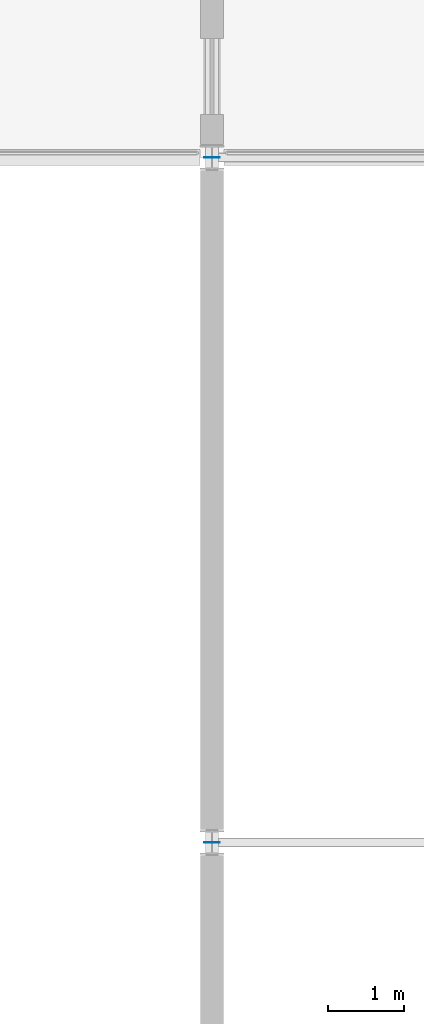
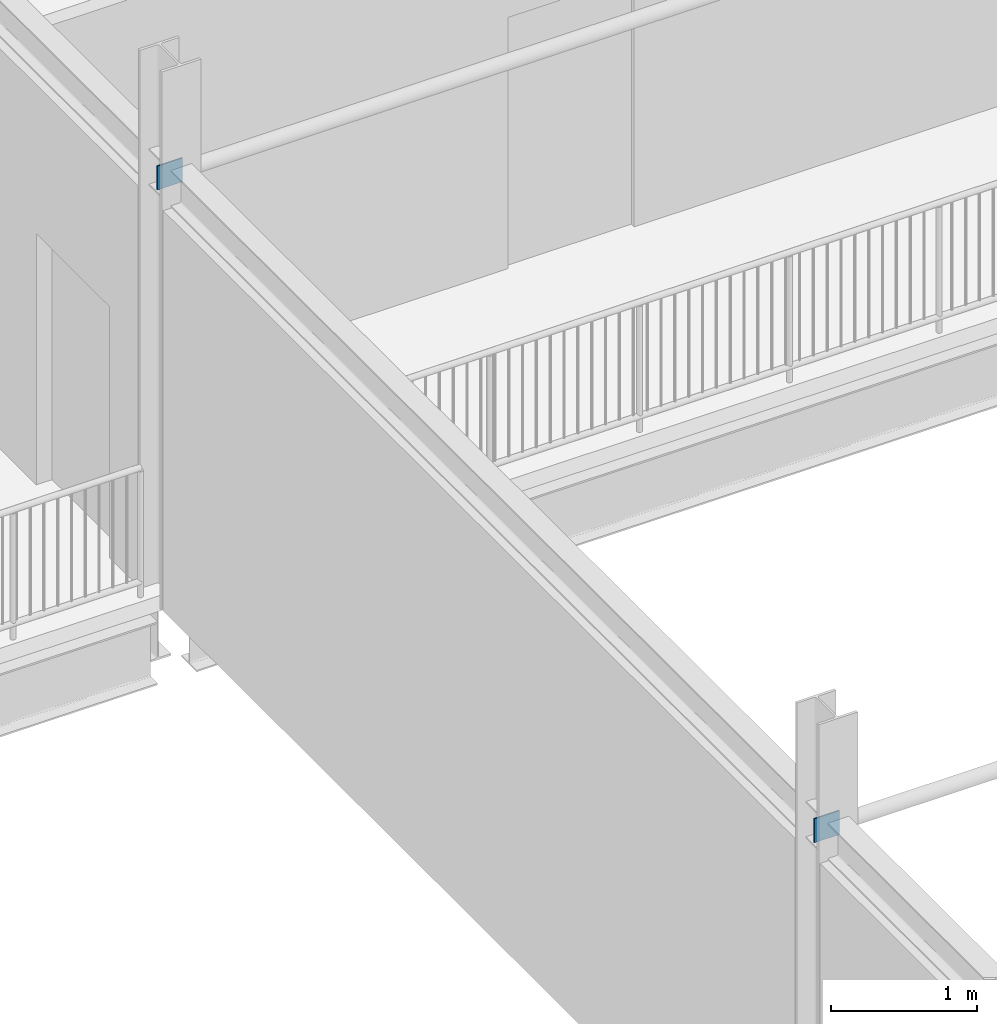
# One storey, part 44 of 59: 2 discrete accessories.
"""IFC4 building model written with IfcOpenShell, lengths in metres."""

from ifc_helpers import new_model, si_unit, direction, frame, origin, origin_2d, place, context, subcontext, project, spatial, rectangle, extrude, material, type_object, element, save


model = new_model("IFC4")

# Units and contexts
model_context = context("Model", 3, precision=1e-05, world=origin(), true_north=direction((0.0, 1.0)))
body_context = subcontext(model_context, "Body", "Model", "MODEL_VIEW")
ifc_project = project(units=[si_unit("LENGTHUNIT", "METRE"), si_unit("AREAUNIT", "SQUARE_METRE"), si_unit("VOLUMEUNIT", "CUBIC_METRE"), si_unit("PLANEANGLEUNIT", "RADIAN"), si_unit("MASSUNIT", "GRAM", prefix="KILO")], contexts=[model_context])

# Site, building, storey
site_placement = place(None, origin())
site = spatial("IfcSite", under=ifc_project, at=site_placement, CompositionType="ELEMENT")
building_placement = place(site_placement, origin())
building = spatial("IfcBuilding", under=site, at=building_placement, Name="Hortulan Conservatory and Botanical Research Centre", CompositionType="ELEMENT")
storey_placement = place(building_placement, frame((0.0, 0.0, 10.5)))
storey = spatial("IfcBuildingStorey", under=building, at=storey_placement, Name="L02", CompositionType="ELEMENT", Elevation=10.5)

# Discrete accessories
ifc_material = material(Name="Steel Grade 300 plate (AS/NZS 3678, 280 MPa minimum yield)", Category="steel")
discrete_accessory_type = type_object("IfcDiscreteAccessoryType", Name="End Plate 200x10", PredefinedType="BRACKET", material=ifc_material)
for number, where, z_axis, x_axis, name in (
    (1, (90.0, 54.0, 3.39990234375), (0.0, 0.0, 1.0), (1.0, 0.0, 0.0), "Strut end plate"),
    (2, (90.0, 63.0, 3.39990234375), (0.0, 0.0, 1.0), (1.0, 0.0, 0.0), "Strut end plate"),
):
    element("IfcDiscreteAccessory", number, at=place(storey_placement, frame(where, z_axis=z_axis, x_axis=x_axis)), inside=storey, type_object=discrete_accessory_type, Name=name, PredefinedType="BRACKET", context=body_context, shape_type="SweptSolid", body=[
        extrude(rectangle(XDim=0.199951171875, YDim=0.010009765625, at=origin_2d()), origin(), (0.0, 0.0, 1.0), 0.199951171875),
    ])

save(model, "model.ifc")
